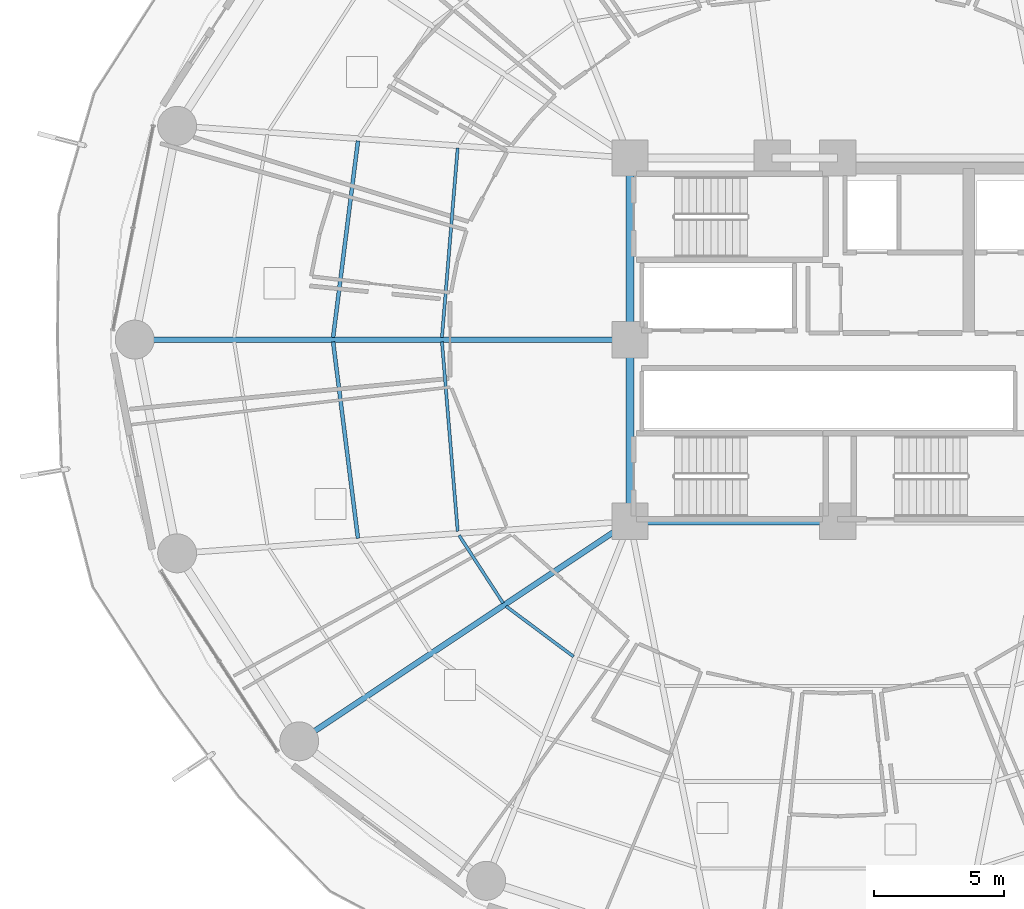
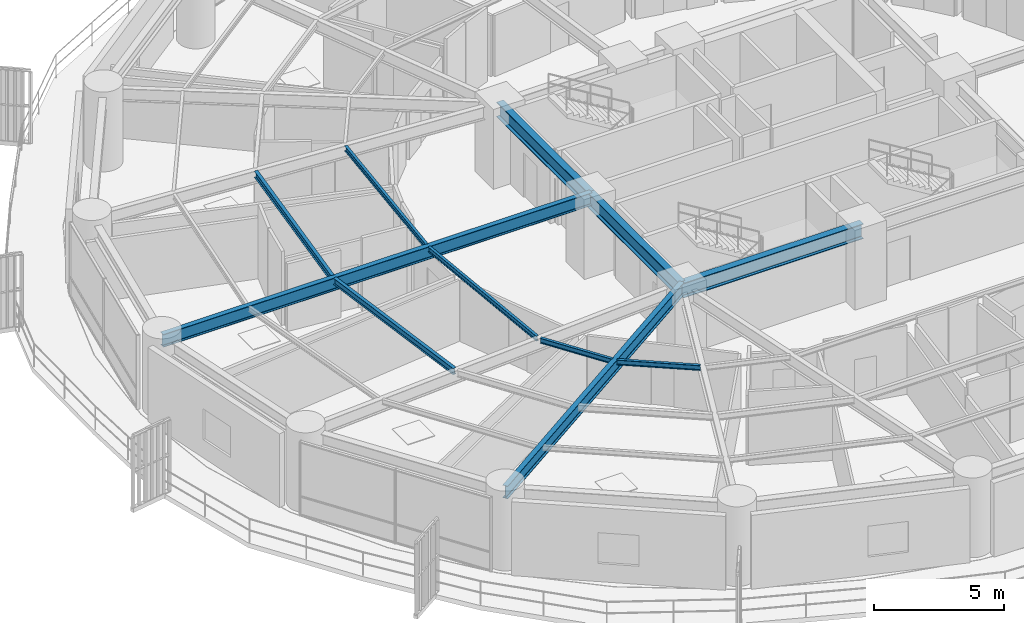
# One storey, part 7 of 33: 11 beams.
"""IFC4 building model written with IfcOpenShell, lengths in metres."""

from ifc_helpers import new_model, si_unit, direction, frame, origin, origin_2d, place, context, subcontext, project, spatial, i_section, extrude, material, material_profile, profile_set, type_object, element, save


model = new_model("IFC4")

# Units and contexts
model_context = context("Model", 3, precision=1e-05, world=origin(), true_north=direction((0.0, 1.0)))
body_context = subcontext(model_context, "Body", "Model", "MODEL_VIEW")
ifc_project = project(units=[si_unit("LENGTHUNIT", "METRE"), si_unit("AREAUNIT", "SQUARE_METRE"), si_unit("VOLUMEUNIT", "CUBIC_METRE"), si_unit("PLANEANGLEUNIT", "RADIAN"), si_unit("MASSUNIT", "GRAM", prefix="KILO")], contexts=[model_context])

# Site, building, storey
site_placement = place(None, origin())
site = spatial("IfcSite", under=ifc_project, at=site_placement, CompositionType="ELEMENT")
building_placement = place(site_placement, origin())
building = spatial("IfcBuilding", under=site, at=building_placement, Name="Kelanora Arch Commons", CompositionType="ELEMENT")
storey_placement = place(building_placement, frame((0.0, 0.0, 45.0)))
storey = spatial("IfcBuildingStorey", under=building, at=storey_placement, Name="L11", CompositionType="ELEMENT", Elevation=45.0)

# Beams
ifc_material = material(Name="Steel S355", Category="steel")
ifc_material_profile_1 = material_profile(ifc_material, i_section(OverallWidth=0.300048828125, OverallDepth=0.699951171875, WebThickness=0.01708984375, FlangeThickness=0.031982421875, FilletRadius=0.027099609375, at=origin_2d()), Name="HEB700")
ifc_profile_set_1 = profile_set([ifc_material_profile_1], Name="Steel S355")
beam_type_1 = type_object("IfcBeamType", Name="BM-CORE-HDR", PredefinedType="BEAM", material=ifc_profile_set_1)
beam_1_placement = place(storey_placement, frame((66.0, 51.0, 3.139892578125), z_axis=(1.0, 0.0, 0.0), x_axis=(0.0, 1.0, 0.0)))
element("IfcBeam", 1, at=beam_1_placement, inside=storey, type_object=beam_type_1, Name="Core Header Beam 01 L11", PredefinedType="BEAM", context=body_context, shape_type="SweptSolid", body=[
    extrude(i_section(OverallWidth=0.300048828125, OverallDepth=0.699951171875, WebThickness=0.01708984375, FlangeThickness=0.031982421875, FilletRadius=0.027099609375, at=origin_2d()), origin(), (0.0, 0.0, 1.0), 8.0),
])
for number, where, z_axis, x_axis, name in (
    (2, (66.0, 65.0, 3.139892578125), (0.0, -1.0, 0.0), (1.0, 0.0, 0.0), "Core Header Beam 08 L11"),
    (3, (66.0, 58.0, 3.139892578125), (0.0, -1.0, 0.0), (1.0, 0.0, 0.0), "Core Header Beam 09 L11"),
):
    element("IfcBeam", number, at=place(storey_placement, frame(where, z_axis=z_axis, x_axis=x_axis)), inside=storey, type_object=beam_type_1, Name=name, PredefinedType="BEAM", context=body_context, shape_type="SweptSolid", body=[
        extrude(i_section(OverallWidth=0.300048828125, OverallDepth=0.699951171875, WebThickness=0.01708984375, FlangeThickness=0.031982421875, FilletRadius=0.027099609375, at=origin_2d()), origin(), (0.0, 0.0, 1.0), 7.0),
    ])
ifc_material_profile_2 = material_profile(ifc_material, i_section(OverallWidth=0.14990234375, OverallDepth=0.300048828125, WebThickness=0.007080078125, FlangeThickness=0.0107421875, FilletRadius=0.014892578125, at=origin_2d()), Name="IPE300")
ifc_profile_set_2 = profile_set([ifc_material_profile_2], Name="Steel S355")
beam_type_2 = type_object("IfcBeamType", Name="BM-JST-01", PredefinedType="JOIST", material=ifc_profile_set_2)
for number, where, z_axis, x_axis, name in (
    (4, (55.521240234375, 65.6572265625, 3.340087890625), (-0.125565841651, -0.992085288375, 0.0), (0.992085288375, -0.125565841651, 0.0), "Secondary Chord Joist BJB-16 L11"),
    (5, (54.562744140625, 57.915771484375, 3.340087890625), (0.125565841651, -0.992085288375, 0.0), (0.992085288375, 0.125565841651, 0.0), "Secondary Chord Joist BJB-18 L11"),
):
    element("IfcBeam", number, at=place(storey_placement, frame(where, z_axis=z_axis, x_axis=x_axis)), inside=storey, type_object=beam_type_2, Name=name, PredefinedType="JOIST", context=body_context, shape_type="SweptSolid", body=[
        extrude(i_section(OverallWidth=0.14990234375, OverallDepth=0.300048828125, WebThickness=0.007080078125, FlangeThickness=0.0107421875, FilletRadius=0.014892578125, at=origin_2d()), origin(), (0.0, 0.0, 1.0), 7.63330078125),
    ])
ifc_material_profile_3 = material_profile(ifc_material, i_section(OverallWidth=0.1201171875, OverallDepth=0.239990234375, WebThickness=0.006103515625, FlangeThickness=0.009765625, FilletRadius=0.014892578125, at=origin_2d()), Name="IPE240")
ifc_profile_set_3 = profile_set([ifc_material_profile_3], Name="Steel S355")
beam_type_3 = type_object("IfcBeamType", Name="BM-JST-02", PredefinedType="JOIST", material=ifc_profile_set_3)
for number, where, z_axis, x_axis, name in (
    (6, (59.363037109375, 65.385009765625, 3.3701171875), (-0.082786209886, -0.996567330115, 0.0), (0.996567330115, -0.082786209886, 0.0), "Secondary Chord Joist BJA-16 L11"),
    (7, (58.756591796875, 57.915283203125, 3.3701171875), (0.082786209886, -0.996567330115, 0.0), (0.996567330115, 0.082786209886, 0.0), "Secondary Chord Joist BJA-18 L11"),
):
    element("IfcBeam", number, at=place(storey_placement, frame(where, z_axis=z_axis, x_axis=x_axis)), inside=storey, type_object=beam_type_3, Name=name, PredefinedType="JOIST", context=body_context, shape_type="SweptSolid", body=[
        extrude(i_section(OverallWidth=0.1201171875, OverallDepth=0.239990234375, WebThickness=0.006103515625, FlangeThickness=0.009765625, FilletRadius=0.014892578125, at=origin_2d()), origin(), (0.0, 0.0, 1.0), 7.325439453125),
    ])
beam_2_placement = place(storey_placement, frame((59.41650390625, 50.458984375, 3.3701171875), z_axis=(0.544591105858, -0.838701691557, 0.0), x_axis=(0.838701691557, 0.544591105858, 0.0)))
element("IfcBeam", 8, at=beam_2_placement, inside=storey, type_object=beam_type_3, Name="Secondary Chord Joist BJA-20 L11", PredefinedType="JOIST", context=body_context, shape_type="SweptSolid", body=[
    extrude(i_section(OverallWidth=0.1201171875, OverallDepth=0.239990234375, WebThickness=0.006103515625, FlangeThickness=0.009765625, FilletRadius=0.014892578125, at=origin_2d()), origin(), (0.0, 0.0, 1.0), 3.111328125),
])
beam_3_placement = place(storey_placement, frame((61.22509765625, 47.727294921875, 3.3701171875), z_axis=(0.801513822608, -0.59797624716, 0.0), x_axis=(0.59797624716, 0.801513822608, 0.0)))
element("IfcBeam", 9, at=beam_3_placement, inside=storey, type_object=beam_type_3, Name="Secondary Chord Joist BJA-22 L11", PredefinedType="JOIST", context=body_context, shape_type="SweptSolid", body=[
    extrude(i_section(OverallWidth=0.1201171875, OverallDepth=0.239990234375, WebThickness=0.006103515625, FlangeThickness=0.009765625, FilletRadius=0.014892578125, at=origin_2d()), origin(), (0.0, 0.0, 1.0), 3.245849609375),
])
ifc_material_profile_4 = material_profile(ifc_material, i_section(OverallWidth=0.219970703125, OverallDepth=0.60009765625, WebThickness=0.011962890625, FlangeThickness=0.01904296875, FilletRadius=0.02392578125, at=origin_2d()), Name="IPE600")
ifc_profile_set_4 = profile_set([ifc_material_profile_4], Name="Steel S355")
beam_type_4 = type_object("IfcBeamType", Name="BM-RAD-Z1", PredefinedType="BEAM", material=ifc_profile_set_4)
beam_4_placement = place(storey_placement, frame((66.0, 58.0, 3.18994140625), z_axis=(-1.0, 0.0, 0.0), x_axis=(0.0, -1.0, 0.0)))
element("IfcBeam", 10, at=beam_4_placement, inside=storey, type_object=beam_type_4, Name="Radial Floor Girder BR-18 L11", PredefinedType="BEAM", context=body_context, shape_type="SweptSolid", body=[
    extrude(i_section(OverallWidth=0.219970703125, OverallDepth=0.60009765625, WebThickness=0.011962890625, FlangeThickness=0.01904296875, FilletRadius=0.02392578125, at=origin_2d()), origin(), (0.0, 0.0, 1.0), 19.080078125),
])
beam_5_placement = place(storey_placement, frame((66.0, 51.0, 3.18994140625), z_axis=(-0.832592187754, -0.553886494591, 0.0), x_axis=(0.553886494591, -0.832592187754, 0.0)))
element("IfcBeam", 11, at=beam_5_placement, inside=storey, type_object=beam_type_4, Name="Radial Floor Girder BR-22 L11", PredefinedType="BEAM", context=body_context, shape_type="SweptSolid", body=[
    extrude(i_section(OverallWidth=0.219970703125, OverallDepth=0.60009765625, WebThickness=0.011962890625, FlangeThickness=0.01904296875, FilletRadius=0.02392578125, at=origin_2d()), origin(), (0.0, 0.0, 1.0), 15.306884765625),
])

save(model, "model.ifc")
